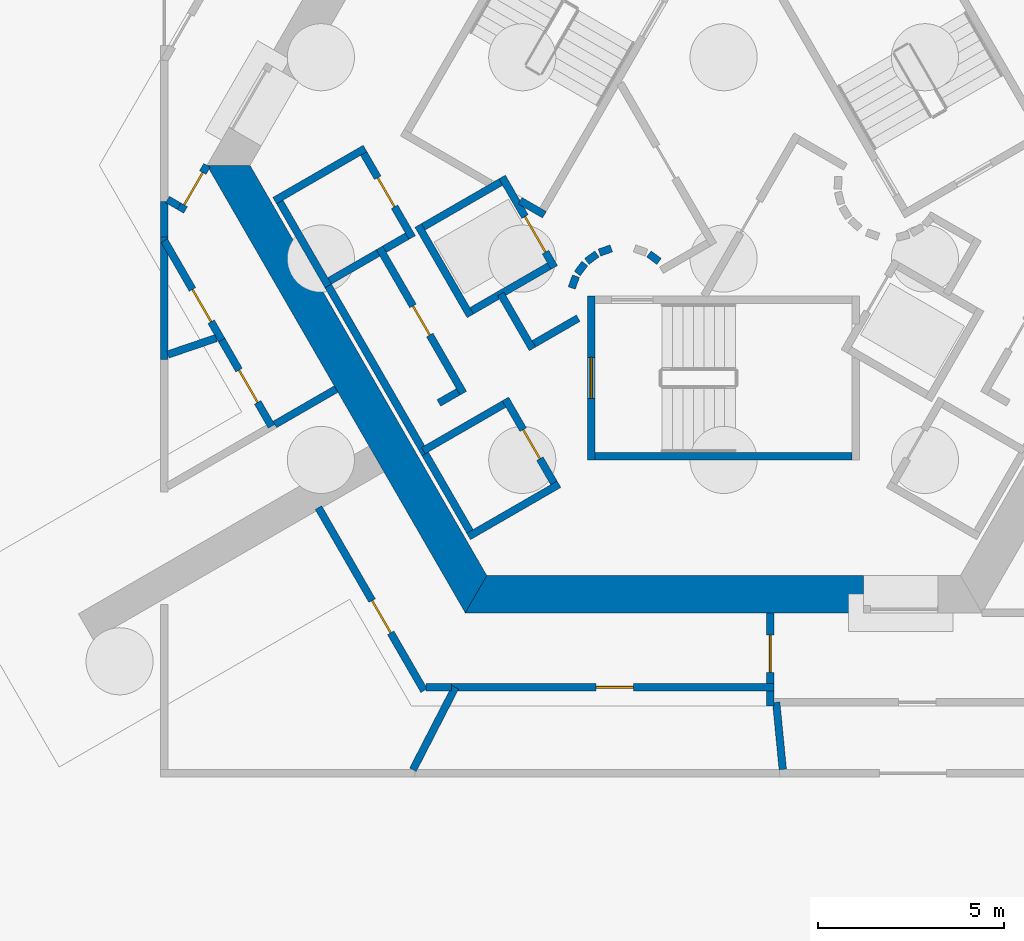
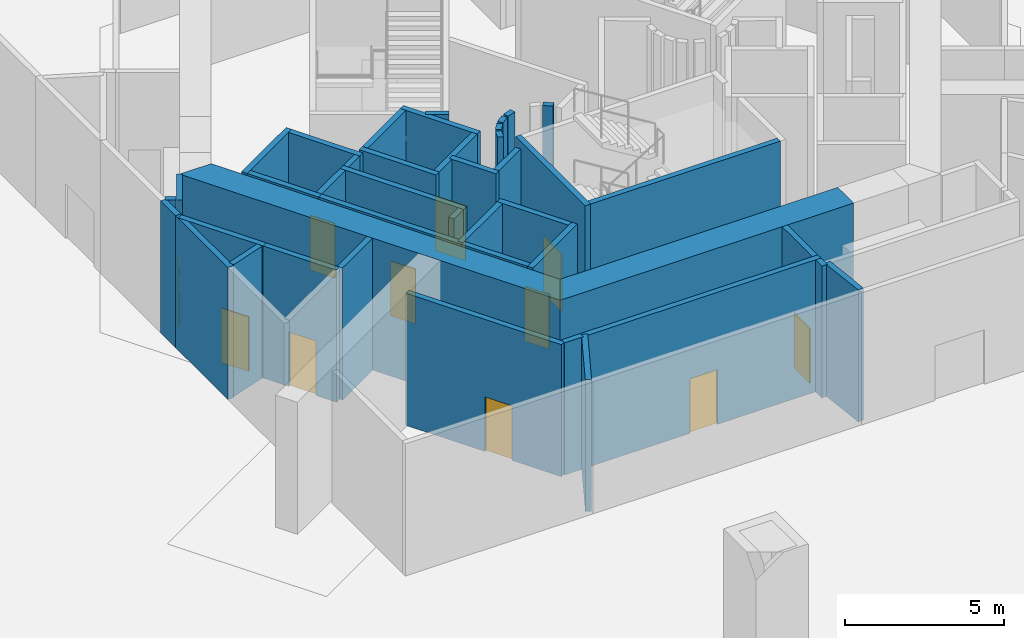
# One storey, part 5 of 14: 43 walls, 11 doors, 11 openings.
"""IFC4 building model written with IfcOpenShell, lengths in metres."""

from ifc_helpers import new_model, si_unit, direction, frame, frame_2d, origin, place, context, subcontext, project, spatial, polyline, rectangle, outline, extrude, material, layer, layer_set, type_object, element, fill, save


model = new_model("IFC4")

# Units and contexts
model_context = context("Model", 3, precision=1e-05, world=origin(), true_north=direction((0.0, 1.0)))
body_context = subcontext(model_context, "Body", "Model", "MODEL_VIEW")
ifc_project = project(units=[si_unit("LENGTHUNIT", "METRE"), si_unit("AREAUNIT", "SQUARE_METRE"), si_unit("VOLUMEUNIT", "CUBIC_METRE"), si_unit("PLANEANGLEUNIT", "RADIAN"), si_unit("MASSUNIT", "GRAM", prefix="KILO")], contexts=[model_context])

# Site, building, storey
site_placement = place(None, origin())
site = spatial("IfcSite", under=ifc_project, at=site_placement, CompositionType="ELEMENT")
building_placement = place(site_placement, origin())
building = spatial("IfcBuilding", under=site, at=building_placement, Name="Entoto Arch Interchange Tower", CompositionType="ELEMENT")
storey_placement = place(building_placement, frame((0.0, 0.0, -16.5)))
storey = spatial("IfcBuildingStorey", under=building, at=storey_placement, Name="B3", CompositionType="ELEMENT", Elevation=-16.5)

# Walls
ifc_material_1 = material(Name="Concrete C60/75", Category="concrete")
ifc_layer_1 = layer(ifc_material_1, 1.0)
ifc_layer_set_1 = layer_set([ifc_layer_1], Name="Concrete C60/75")
wall_type_1 = type_object("IfcWallType", Name="Core wall 1000 C60/75", PredefinedType="SHEAR", material=ifc_layer_set_1)
wall_1_placement = place(storey_placement, origin())
element("IfcWall", 1, at=wall_1_placement, inside=storey, type_object=wall_type_1, Name="Core wall SW B3", PredefinedType="SHEAR", context=body_context, shape_type="SweptSolid", body=[
    extrude(outline(polyline([(-13.85595703125, 2.5), (-6.927978515625, -9.5), (-6.35107421875, -8.5), (-12.701904296875, 2.5), (-13.85595703125, 2.5)])), origin(), (0.0, 0.0, 1.0), 5.080078125),
])
wall_2_placement = place(storey_placement, origin())
element("IfcWall", 2, at=wall_2_placement, inside=storey, type_object=wall_type_1, Name="Core wall S B3", PredefinedType="SHEAR", context=body_context, shape_type="SweptSolid", body=[
    extrude(outline(polyline([(3.75, -9.5), (3.75, -8.5), (-6.35107421875, -8.5), (-6.927978515625, -9.5), (3.75, -9.5)])), origin(), (0.0, 0.0, 1.0), 5.080078125),
])

# Wall, opening, door
ifc_material_2 = material(Name="Concrete C40/50", Category="concrete")
ifc_layer_2 = layer(ifc_material_2, 0.199951171875)
ifc_layer_set_2 = layer_set([ifc_layer_2], Name="Concrete C40/50")
wall_type_2 = type_object("IfcWallType", Name="LIFT SHAFT WALL 200", PredefinedType="STANDARD", material=ifc_layer_set_2)
wall_3_placement = place(storey_placement, frame((-5.93994140625, 2.18798828125, 0.0), z_axis=(0.0, 0.0, 1.0), x_axis=(0.49994636267, -0.866056369097, 0.0)))
wall_3 = element("IfcWall", 3, at=wall_3_placement, inside=storey, type_object=wall_type_2, Name="Shaft wall SW1 front", PredefinedType="STANDARD", context=body_context, shape_type="SweptSolid", body=[
    extrude(rectangle(XDim=2.800048828125, YDim=0.199951171875, at=frame_2d((1.39990234375, 0.0))), origin(), (0.0, 0.0, 1.0), 5.080078125),
])
opening_1_placement = place(wall_3_placement, frame((1.22509765625, 0.0, 0.0)))
opening_1 = element("IfcOpeningElement", 4, at=opening_1_placement, cuts=wall_3, Name="Opening LD-FF2-B3", PredefinedType="OPENING", context=body_context, shape_type="SweptSolid", body=[
    extrude(rectangle(XDim=1.10009765625, YDim=2.10009765625, at=frame_2d((0.550048828125, 1.050048828125))), frame((0.0, 0.10986328125, 0.0), z_axis=(0.0, -1.0, 0.0), x_axis=(1.0, 0.0, 0.0)), (0.0, 0.0, 1.0), 0.219970703125),
])
ifc_material_3 = material(Name="Stainless steel 1.4301 panels", Category="steel")
door_type_1 = type_object("IfcDoorType", Name="LIFT LANDING DOOR LD1 1100x2100", OperationType="SLIDING_TO_LEFT", PredefinedType="DOOR", material=ifc_material_3)
door_1_placement = place(opening_1_placement, origin())
door_1 = element("IfcDoor", 5, at=door_1_placement, inside=storey, type_object=door_type_1, Name="Lift landing door FF2 B3", OperationType="SLIDING_TO_LEFT", OverallHeight=2.10009765625, OverallWidth=1.10009765625, PredefinedType="DOOR", context=body_context, shape_type="SweptSolid", body=[
    extrude(rectangle(XDim=1.10009765625, YDim=2.10009765625, at=frame_2d((0.550048828125, 1.050048828125))), frame((0.0, 0.02490234375, 0.0), z_axis=(0.0, -1.0, 0.0), x_axis=(1.0, 0.0, 0.0)), (0.0, 0.0, 1.0), 0.050048828125),
])
fill(opening_1, door_1)

# Walls
wall_4_placement = place(storey_placement, frame((-8.19189453125, 0.887939453125, 0.0), z_axis=(0.0, 0.0, 1.0), x_axis=(0.49994636267, -0.866056369097, 0.0)))
element("IfcWall", 6, at=wall_4_placement, inside=storey, type_object=wall_type_2, Name="Shaft wall SW1 back", PredefinedType="STANDARD", context=body_context, shape_type="SweptSolid", body=[
    extrude(rectangle(XDim=2.800048828125, YDim=0.199951171875, at=frame_2d((1.39990234375, 0.0))), origin(), (0.0, 0.0, 1.0), 5.080078125),
])
for number, where, z_axis, x_axis, name in (
    (7, (-5.97705078125, 2.052001953125, 0.0), (0.0, 0.0, 1.0), (-0.865973769406, -0.500089422704, 0.0), "Shaft wall SW1 cross 1"),
    (8, (-4.677001953125, -0.199951171875, 0.0), (0.0, 0.0, 1.0), (-0.865973769406, -0.500089422704, 0.0), "Shaft wall SW1 cross 2"),
):
    element("IfcWall", number, at=place(storey_placement, frame(where, z_axis=z_axis, x_axis=x_axis)), inside=storey, type_object=wall_type_2, Name=name, PredefinedType="STANDARD", context=body_context, shape_type="SweptSolid", body=[
        extrude(rectangle(XDim=2.3994140625, YDim=0.199951171875, at=frame_2d((1.19970703125, 0.0))), origin(), (0.0, 0.0, 1.0), 5.080078125),
    ])

# Wall, opening, door
ifc_material_4 = material(Name="Gypsum board partition on steel studs", Category="steel")
ifc_layer_3 = layer(ifc_material_4, 0.199951171875)
ifc_layer_set_3 = layer_set([ifc_layer_3], Name="Gypsum board partition on steel studs")
wall_type_3 = type_object("IfcWallType", Name="PARTITION 200", PredefinedType="PARTITIONING", material=ifc_layer_set_3)
wall_5_placement = place(storey_placement, frame((1.25, -11.39990234375, 0.0), z_axis=(0.0, 0.0, 1.0), x_axis=(0.0, 1.0, 0.0)))
wall_5 = element("IfcWall", 9, at=wall_5_placement, inside=storey, type_object=wall_type_3, Name="wall:B3:p001", PredefinedType="PARTITIONING", context=body_context, shape_type="SweptSolid", body=[
    extrude(rectangle(XDim=1.89990234375, YDim=0.199951171875, at=frame_2d((0.949951171875, 0.0))), origin(), (0.0, 0.0, 1.0), 5.080078125),
])
opening_2_placement = place(wall_5_placement, frame((0.300048828125, 0.0, 0.0)))
opening_2 = element("IfcOpeningElement", 10, at=opening_2_placement, cuts=wall_5, Name="Opening B3-D01", PredefinedType="OPENING", context=body_context, shape_type="SweptSolid", body=[
    extrude(rectangle(XDim=1.0, YDim=2.10009765625, at=frame_2d((0.5, 1.050048828125))), frame((0.0, 0.10986328125, 0.0), z_axis=(0.0, -1.0, 0.0), x_axis=(1.0, 0.0, 0.0)), (0.0, 0.0, 1.0), 0.219970703125),
])
ifc_material_5 = material(Name="Fire-rated Steel S235 door and frame", Category="steel")
door_type_2 = type_object("IfcDoorType", Name="DOOR FD-10 1000x2100", OperationType="SINGLE_SWING_LEFT", PredefinedType="DOOR", material=ifc_material_5)
door_2_placement = place(opening_2_placement, origin())
door_2 = element("IfcDoor", 11, at=door_2_placement, inside=storey, type_object=door_type_2, Name="door:B3:01", OperationType="SINGLE_SWING_LEFT", OverallHeight=2.10009765625, OverallWidth=1.0, PredefinedType="DOOR", context=body_context, shape_type="SweptSolid", body=[
    extrude(rectangle(XDim=1.0, YDim=2.10009765625, at=frame_2d((0.5, 1.050048828125))), frame((0.0, 0.02490234375, 0.0), z_axis=(0.0, -1.0, 0.0), x_axis=(1.0, 0.0, 0.0)), (0.0, 0.0, 1.0), 0.050048828125),
])
fill(opening_2, door_2)

# Walls
wall_6_placement = place(storey_placement, frame((1.25, -12.0, 0.0), z_axis=(0.0, 0.0, 1.0), x_axis=(0.0, 1.0, 0.0)))
element("IfcWall", 12, at=wall_6_placement, inside=storey, type_object=wall_type_3, Name="wall:B3:p006", PredefinedType="PARTITIONING", context=body_context, shape_type="SweptSolid", body=[
    extrude(rectangle(XDim=0.39990234375, YDim=0.199951171875, at=frame_2d((0.199951171875, 0.0))), origin(), (0.0, 0.0, 1.0), 5.080078125),
])
wall_7_placement = place(storey_placement, frame((-7.2958984375, -11.5, 0.0), z_axis=(0.0, 0.0, 1.0), x_axis=(-1.0, 0.0, 0.0)))
element("IfcWall", 13, at=wall_7_placement, inside=storey, type_object=wall_type_3, Name="wall:B3:p007", PredefinedType="PARTITIONING", context=body_context, shape_type="SweptSolid", body=[
    extrude(rectangle(XDim=0.68701171875, YDim=0.199951171875, at=frame_2d((0.343505859375, 0.0))), origin(), (0.0, 0.0, 1.0), 5.080078125),
])

# Wall, opening, door
wall_8_placement = place(storey_placement, frame((-8.032958984375, -11.5869140625, 0.0), z_axis=(0.0, 0.0, 1.0), x_axis=(-0.499974742752, 0.866039985572, 0.0)))
wall_8 = element("IfcWall", 14, at=wall_8_placement, inside=storey, type_object=wall_type_3, Name="wall:B3:p008", PredefinedType="PARTITIONING", context=body_context, shape_type="SweptSolid", body=[
    extrude(rectangle(XDim=5.668212890625, YDim=0.199951171875, at=frame_2d((2.833984375, 0.0))), origin(), (0.0, 0.0, 1.0), 5.080078125),
])
opening_3_placement = place(wall_8_placement, frame((1.7880859375, 0.0, 0.0)))
opening_3 = element("IfcOpeningElement", 15, at=opening_3_placement, cuts=wall_8, Name="Opening B3-D04", PredefinedType="OPENING", context=body_context, shape_type="SweptSolid", body=[
    extrude(rectangle(XDim=1.0, YDim=2.10009765625, at=frame_2d((0.5, 1.050048828125))), frame((0.0, 0.10986328125, 0.0), z_axis=(0.0, -1.0, 0.0), x_axis=(1.0, 0.0, 0.0)), (0.0, 0.0, 1.0), 0.219970703125),
])
door_3_placement = place(opening_3_placement, origin())
door_3 = element("IfcDoor", 16, at=door_3_placement, inside=storey, type_object=door_type_2, Name="door:B3:04", OperationType="SINGLE_SWING_RIGHT", OverallHeight=2.10009765625, OverallWidth=1.0, PredefinedType="DOOR", context=body_context, shape_type="SweptSolid", body=[
    extrude(rectangle(XDim=1.0, YDim=2.10009765625, at=frame_2d((0.5, 1.050048828125))), frame((0.0, 0.02490234375, 0.0), z_axis=(0.0, -1.0, 0.0), x_axis=(1.0, 0.0, 0.0)), (0.0, 0.0, 1.0), 0.050048828125),
])
fill(opening_3, door_3)

wall_9_placement = place(storey_placement, frame((1.35009765625, -11.5, 0.0), z_axis=(0.0, 0.0, 1.0), x_axis=(-1.0, 0.0, 0.0)))
wall_9 = element("IfcWall", 17, at=wall_9_placement, inside=storey, type_object=wall_type_3, Name="wall:B3:p009", PredefinedType="PARTITIONING", context=body_context, shape_type="SweptSolid", body=[
    extrude(rectangle(XDim=8.64599609375, YDim=0.199951171875, at=frame_2d((4.322998046875, 0.0))), origin(), (0.0, 0.0, 1.0), 5.080078125),
])
opening_4_placement = place(wall_9_placement, frame((3.76806640625, 0.0, 0.0)))
opening_4 = element("IfcOpeningElement", 18, at=opening_4_placement, cuts=wall_9, Name="Opening B3-D05", PredefinedType="OPENING", context=body_context, shape_type="SweptSolid", body=[
    extrude(rectangle(XDim=1.0, YDim=2.10009765625, at=frame_2d((0.5, 1.050048828125))), frame((0.0, 0.10986328125, 0.0), z_axis=(0.0, -1.0, 0.0), x_axis=(1.0, 0.0, 0.0)), (0.0, 0.0, 1.0), 0.219970703125),
])
door_4_placement = place(opening_4_placement, origin())
door_4 = element("IfcDoor", 19, at=door_4_placement, inside=storey, type_object=door_type_2, Name="door:B3:05", OperationType="SINGLE_SWING_LEFT", OverallHeight=2.10009765625, OverallWidth=1.0, PredefinedType="DOOR", context=body_context, shape_type="SweptSolid", body=[
    extrude(rectangle(XDim=1.0, YDim=2.10009765625, at=frame_2d((0.5, 1.050048828125))), frame((0.0, 0.02490234375, 0.0), z_axis=(0.0, -1.0, 0.0), x_axis=(1.0, 0.0, 0.0)), (0.0, 0.0, 1.0), 0.050048828125),
])
fill(opening_4, door_4)

# Walls
wall_10_placement = place(storey_placement, frame((1.5869140625, -13.699951171875, 0.0), z_axis=(0.0, 0.0, 1.0), x_axis=(-0.097324991698, 0.99525265435, 0.0)))
element("IfcWall", 20, at=wall_10_placement, inside=storey, type_object=wall_type_3, Name="wall:B3:p014", PredefinedType="PARTITIONING", context=body_context, shape_type="SweptSolid", body=[
    extrude(rectangle(XDim=1.80859375, YDim=0.199951171875, at=frame_2d((0.904296875, 0.0))), origin(), (0.0, 0.0, 1.0), 5.080078125),
])
wall_11_placement = place(storey_placement, frame((-7.196044921875, -11.5, 0.0), z_axis=(0.0, 0.0, 1.0), x_axis=(-0.457008432814, -0.889462361394, 0.0)))
element("IfcWall", 21, at=wall_11_placement, inside=storey, type_object=wall_type_3, Name="wall:B3:p017", PredefinedType="PARTITIONING", context=body_context, shape_type="SweptSolid", body=[
    extrude(rectangle(XDim=2.485595703125, YDim=0.199951171875, at=frame_2d((1.24267578125, 0.0))), origin(), (0.0, 0.0, 1.0), 5.080078125),
])

# Wall, opening, door
wall_12_placement = place(storey_placement, frame((-13.85595703125, 2.5, 0.0), z_axis=(0.0, 0.0, 1.0), x_axis=(-0.499831418649, -0.866122712398, 0.0)))
wall_12 = element("IfcWall", 22, at=wall_12_placement, inside=storey, type_object=wall_type_3, Name="wall:B3:p050", PredefinedType="PARTITIONING", context=body_context, shape_type="SweptSolid", body=[
    extrude(rectangle(XDim=1.42236328125, YDim=0.199951171875, at=frame_2d((0.711181640625, 0.0))), origin(), (0.0, 0.0, 1.0), 5.080078125),
])
opening_5_placement = place(wall_12_placement, frame((0.22412109375, 0.0, 0.0)))
opening_5 = element("IfcOpeningElement", 23, at=opening_5_placement, cuts=wall_12, Name="Opening B3-D14", PredefinedType="OPENING", context=body_context, shape_type="SweptSolid", body=[
    extrude(rectangle(XDim=1.0, YDim=2.10009765625, at=frame_2d((0.5, 1.050048828125))), frame((0.0, 0.10986328125, 0.0), z_axis=(0.0, -1.0, 0.0), x_axis=(1.0, 0.0, 0.0)), (0.0, 0.0, 1.0), 0.219970703125),
])
door_5_placement = place(opening_5_placement, origin())
door_5 = element("IfcDoor", 24, at=door_5_placement, inside=storey, type_object=door_type_2, Name="door:B3:14", OperationType="SINGLE_SWING_RIGHT", OverallHeight=2.10009765625, OverallWidth=1.0, PredefinedType="DOOR", context=body_context, shape_type="SweptSolid", body=[
    extrude(rectangle(XDim=1.0, YDim=2.10009765625, at=frame_2d((0.5, 1.050048828125))), frame((0.0, 0.02490234375, 0.0), z_axis=(0.0, -1.0, 0.0), x_axis=(1.0, 0.0, 0.0)), (0.0, 0.0, 1.0), 0.050048828125),
])
fill(opening_5, door_5)

# Wall
wall_13_placement = place(storey_placement, frame((-14.60400390625, 1.405029296875, 0.0), z_axis=(0.0, 0.0, 1.0), x_axis=(-0.865410684717, 0.501063216349, 0.0)))
element("IfcWall", 25, at=wall_13_placement, inside=storey, type_object=wall_type_3, Name="wall:B3:p051", PredefinedType="PARTITIONING", context=body_context, shape_type="SweptSolid", body=[
    extrude(rectangle(XDim=0.357177734375, YDim=0.199951171875, at=frame_2d((0.1787109375, 0.0))), origin(), (0.0, 0.0, 1.0), 5.080078125),
])

# Wall, opening, door
wall_14_placement = place(storey_placement, frame((-13.4599609375, -2.18603515625, 0.0), z_axis=(0.0, 0.0, 1.0), x_axis=(-0.500060979923, 0.865990194147, 0.0)))
wall_14 = element("IfcWall", 26, at=wall_14_placement, inside=storey, type_object=wall_type_3, Name="wall:B3:p057", PredefinedType="PARTITIONING", context=body_context, shape_type="SweptSolid", body=[
    extrude(rectangle(XDim=3.07958984375, YDim=0.199951171875, at=frame_2d((1.539794921875, 0.0))), origin(), (0.0, 0.0, 1.0), 5.080078125),
])
opening_6_placement = place(wall_14_placement, frame((0.569091796875, 0.0, 0.0)))
opening_6 = element("IfcOpeningElement", 27, at=opening_6_placement, cuts=wall_14, Name="Opening B3-D17", PredefinedType="OPENING", context=body_context, shape_type="SweptSolid", body=[
    extrude(rectangle(XDim=1.0, YDim=2.10009765625, at=frame_2d((0.5, 1.050048828125))), frame((0.0, 0.10986328125, 0.0), z_axis=(0.0, -1.0, 0.0), x_axis=(1.0, 0.0, 0.0)), (0.0, 0.0, 1.0), 0.219970703125),
])
door_6_placement = place(opening_6_placement, origin())
door_6 = element("IfcDoor", 28, at=door_6_placement, inside=storey, type_object=door_type_2, Name="door:B3:17", OperationType="SINGLE_SWING_LEFT", OverallHeight=2.10009765625, OverallWidth=1.0, PredefinedType="DOOR", context=body_context, shape_type="SweptSolid", body=[
    extrude(rectangle(XDim=1.0, YDim=2.10009765625, at=frame_2d((0.5, 1.050048828125))), frame((0.0, 0.02490234375, 0.0), z_axis=(0.0, -1.0, 0.0), x_axis=(1.0, 0.0, 0.0)), (0.0, 0.0, 1.0), 0.050048828125),
])
fill(opening_6, door_6)

wall_15_placement = place(storey_placement, frame((-12.1240234375, -4.5, 0.0), z_axis=(0.0, 0.0, 1.0), x_axis=(-0.499991375441, 0.866030383119, 0.0)))
wall_15 = element("IfcWall", 29, at=wall_15_placement, inside=storey, type_object=wall_type_3, Name="wall:B3:p058", PredefinedType="PARTITIONING", context=body_context, shape_type="SweptSolid", body=[
    extrude(rectangle(XDim=2.671875, YDim=0.199951171875, at=frame_2d((1.3359375, 0.0))), origin(), (0.0, 0.0, 1.0), 5.080078125),
])
opening_7_placement = place(wall_15_placement, frame((0.742919921875, 0.0, 0.0)))
opening_7 = element("IfcOpeningElement", 30, at=opening_7_placement, cuts=wall_15, Name="Opening B3-D18", PredefinedType="OPENING", context=body_context, shape_type="SweptSolid", body=[
    extrude(rectangle(XDim=1.0, YDim=2.10009765625, at=frame_2d((0.5, 1.050048828125))), frame((0.0, 0.10986328125, 0.0), z_axis=(0.0, -1.0, 0.0), x_axis=(1.0, 0.0, 0.0)), (0.0, 0.0, 1.0), 0.219970703125),
])
door_7_placement = place(opening_7_placement, origin())
door_7 = element("IfcDoor", 31, at=door_7_placement, inside=storey, type_object=door_type_2, Name="door:B3:18", OperationType="SINGLE_SWING_RIGHT", OverallHeight=2.10009765625, OverallWidth=1.0, PredefinedType="DOOR", context=body_context, shape_type="SweptSolid", body=[
    extrude(rectangle(XDim=1.0, YDim=2.10009765625, at=frame_2d((0.5, 1.050048828125))), frame((0.0, 0.02490234375, 0.0), z_axis=(0.0, -1.0, 0.0), x_axis=(1.0, 0.0, 0.0)), (0.0, 0.0, 1.0), 0.050048828125),
])
fill(opening_7, door_7)

# Walls
wall_16_placement = place(storey_placement, frame((-10.39208984375, -3.5, 0.0), z_axis=(0.0, 0.0, 1.0), x_axis=(-0.865980106173, -0.500078449558, 0.0)))
element("IfcWall", 32, at=wall_16_placement, inside=storey, type_object=wall_type_3, Name="wall:B3:p059", PredefinedType="PARTITIONING", context=body_context, shape_type="SweptSolid", body=[
    extrude(rectangle(XDim=1.899658203125, YDim=0.199951171875, at=frame_2d((0.94970703125, 0.0))), origin(), (0.0, 0.0, 1.0), 5.080078125),
])
wall_17_placement = place(storey_placement, frame((-15.0, 0.5810546875, 0.0), z_axis=(0.0, 0.0, 1.0), x_axis=(0.0, 1.0, 0.0)))
element("IfcWall", 33, at=wall_17_placement, inside=storey, type_object=wall_type_3, Name="wall:B3:p060", PredefinedType="PARTITIONING", context=body_context, shape_type="SweptSolid", body=[
    extrude(rectangle(XDim=0.952880859375, YDim=0.199951171875, at=frame_2d((0.4765625, 0.0))), origin(), (0.0, 0.0, 1.0), 5.080078125),
])
wall_18_placement = place(storey_placement, frame((-13.60498046875, -2.131103515625, 0.0), z_axis=(0.0, 0.0, 1.0), x_axis=(-0.946582963452, -0.32246037478, 0.0)))
element("IfcWall", 34, at=wall_18_placement, inside=storey, type_object=wall_type_3, Name="wall:B3:p065", PredefinedType="PARTITIONING", context=body_context, shape_type="SweptSolid", body=[
    extrude(rectangle(XDim=1.373291015625, YDim=0.199951171875, at=frame_2d((0.6865234375, 0.0))), origin(), (0.0, 0.0, 1.0), 5.080078125),
])
wall_19_placement = place(storey_placement, frame((-15.0, -2.7060546875, 0.0), z_axis=(0.0, 0.0, 1.0), x_axis=(0.0, 1.0, 0.0)))
element("IfcWall", 35, at=wall_19_placement, inside=storey, type_object=wall_type_3, Name="wall:B3:p066", PredefinedType="PARTITIONING", context=body_context, shape_type="SweptSolid", body=[
    extrude(rectangle(XDim=3.287109375, YDim=0.199951171875, at=frame_2d((1.6435546875, 0.0))), origin(), (0.0, 0.0, 1.0), 5.080078125),
])
wall_20_placement = place(storey_placement, frame((-9.26708984375, 0.152099609375, 0.0), z_axis=(0.0, 0.0, 1.0), x_axis=(-0.86599040064, -0.500060622324, 0.0)))
element("IfcWall", 36, at=wall_20_placement, inside=storey, type_object=wall_type_3, Name="wall:B3:p089", PredefinedType="PARTITIONING", context=body_context, shape_type="SweptSolid", body=[
    extrude(rectangle(XDim=1.499755859375, YDim=0.199951171875, at=frame_2d((0.75, 0.0))), origin(), (0.0, 0.0, 1.0), 5.080078125),
])
wall_21_placement = place(storey_placement, frame((-12.0400390625, 1.552978515625, 0.0), z_axis=(0.0, 0.0, 1.0), x_axis=(0.866056369097, 0.49994636267, 0.0)))
element("IfcWall", 37, at=wall_21_placement, inside=storey, type_object=wall_type_3, Name="wall:B3:p090", PredefinedType="PARTITIONING", context=body_context, shape_type="SweptSolid", body=[
    extrude(rectangle(XDim=2.800048828125, YDim=0.199951171875, at=frame_2d((1.39990234375, 0.0))), origin(), (0.0, 0.0, 1.0), 5.080078125),
])

# Wall, opening, door
wall_22_placement = place(storey_placement, frame((-9.65087890625, 2.81689453125, 0.0), z_axis=(0.0, 0.0, 1.0), x_axis=(0.49989585183, -0.866085525409, 0.0)))
wall_22 = element("IfcWall", 38, at=wall_22_placement, inside=storey, type_object=wall_type_3, Name="wall:B3:p091", PredefinedType="PARTITIONING", context=body_context, shape_type="SweptSolid", body=[
    extrude(rectangle(XDim=2.60009765625, YDim=0.199951171875, at=frame_2d((1.300048828125, 0.0))), origin(), (0.0, 0.0, 1.0), 5.080078125),
])
opening_8_placement = place(wall_22_placement, frame((0.75, 0.0, 0.0)))
opening_8 = element("IfcOpeningElement", 39, at=opening_8_placement, cuts=wall_22, Name="Opening B3-D30", PredefinedType="OPENING", context=body_context, shape_type="SweptSolid", body=[
    extrude(rectangle(XDim=0.89990234375, YDim=2.10009765625, at=frame_2d((0.449951171875, 1.050048828125))), frame((0.0, 0.10986328125, 0.0), z_axis=(0.0, -1.0, 0.0), x_axis=(1.0, 0.0, 0.0)), (0.0, 0.0, 1.0), 0.219970703125),
])
ifc_material_6 = material(Name="Timber door leaf in Steel S235 frame", Category="steel")
door_type_3 = type_object("IfcDoorType", Name="DOOR DS-09 900x2100", OperationType="SINGLE_SWING_LEFT", PredefinedType="DOOR", material=ifc_material_6)
door_8_placement = place(opening_8_placement, origin())
door_8 = element("IfcDoor", 40, at=door_8_placement, inside=storey, type_object=door_type_3, Name="door:B3:30", OperationType="SINGLE_SWING_RIGHT", OverallHeight=2.10009765625, OverallWidth=0.89990234375, PredefinedType="DOOR", context=body_context, shape_type="SweptSolid", body=[
    extrude(rectangle(XDim=0.89990234375, YDim=2.10009765625, at=frame_2d((0.449951171875, 1.050048828125))), frame((0.0, 0.02490234375, 0.0), z_axis=(0.0, -1.0, 0.0), x_axis=(1.0, 0.0, 0.0)), (0.0, 0.0, 1.0), 0.050048828125),
])
fill(opening_8, door_8)

# Walls
wall_23_placement = place(storey_placement, frame((-8.488037109375, 0.60205078125, 0.0), z_axis=(0.0, 0.0, 1.0), x_axis=(-0.865871789474, -0.500265973451, 0.0)))
element("IfcWall", 41, at=wall_23_placement, inside=storey, type_object=wall_type_3, Name="wall:B3:p092", PredefinedType="PARTITIONING", context=body_context, shape_type="SweptSolid", body=[
    extrude(rectangle(XDim=0.69970703125, YDim=0.199951171875, at=frame_2d((0.349853515625, 0.0))), origin(), (0.0, 0.0, 1.0), 5.080078125),
])
wall_24_placement = place(storey_placement, frame((-10.60302734375, -0.735107421875, 0.0), z_axis=(0.0, 0.0, 1.0), x_axis=(-0.499925626596, 0.866068339032, 0.0)))
element("IfcWall", 42, at=wall_24_placement, inside=storey, type_object=wall_type_3, Name="wall:B3:p093", PredefinedType="PARTITIONING", context=body_context, shape_type="SweptSolid", body=[
    extrude(rectangle(XDim=2.6005859375, YDim=0.199951171875, at=frame_2d((1.30029296875, 0.0))), origin(), (0.0, 0.0, 1.0), 5.080078125),
])

# Wall, opening, door
wall_25_placement = place(storey_placement, frame((-9.23095703125, 0.2880859375, 0.0), z_axis=(0.0, 0.0, 1.0), x_axis=(0.500013631625, -0.866017533419, 0.0)))
wall_25 = element("IfcWall", 43, at=wall_25_placement, inside=storey, type_object=wall_type_3, Name="wall:B3:p094", PredefinedType="PARTITIONING", context=body_context, shape_type="SweptSolid", body=[
    extrude(rectangle(XDim=4.499755859375, YDim=0.199951171875, at=frame_2d((2.25, 0.0))), origin(), (0.0, 0.0, 1.0), 5.080078125),
])
opening_9_placement = place(wall_25_placement, frame((1.800048828125, 0.0, 0.0)))
opening_9 = element("IfcOpeningElement", 44, at=opening_9_placement, cuts=wall_25, Name="Opening B3-D31", PredefinedType="OPENING", context=body_context, shape_type="SweptSolid", body=[
    extrude(rectangle(XDim=0.89990234375, YDim=2.10009765625, at=frame_2d((0.449951171875, 1.050048828125))), frame((0.0, 0.10986328125, 0.0), z_axis=(0.0, -1.0, 0.0), x_axis=(1.0, 0.0, 0.0)), (0.0, 0.0, 1.0), 0.219970703125),
])
door_9_placement = place(opening_9_placement, origin())
door_9 = element("IfcDoor", 45, at=door_9_placement, inside=storey, type_object=door_type_3, Name="door:B3:31", OperationType="SINGLE_SWING_LEFT", OverallHeight=2.10009765625, OverallWidth=0.89990234375, PredefinedType="DOOR", context=body_context, shape_type="SweptSolid", body=[
    extrude(rectangle(XDim=0.89990234375, YDim=2.10009765625, at=frame_2d((0.449951171875, 1.050048828125))), frame((0.0, 0.02490234375, 0.0), z_axis=(0.0, -1.0, 0.0), x_axis=(1.0, 0.0, 0.0)), (0.0, 0.0, 1.0), 0.050048828125),
])
fill(opening_9, door_9)

# Walls
wall_26_placement = place(storey_placement, frame((-7.116943359375, -3.572021484375, 0.0), z_axis=(0.0, 0.0, 1.0), x_axis=(-0.866158505053, -0.499769390944, 0.0)))
element("IfcWall", 46, at=wall_26_placement, inside=storey, type_object=wall_type_3, Name="wall:B3:p095", PredefinedType="PARTITIONING", context=body_context, shape_type="SweptSolid", body=[
    extrude(rectangle(XDim=0.600341796875, YDim=0.199951171875, at=frame_2d((0.30029296875, 0.0))), origin(), (0.0, 0.0, 1.0), 5.080078125),
])
wall_27_placement = place(storey_placement, frame((-8.0029296875, -5.238037109375, 0.0), z_axis=(0.0, 0.0, 1.0), x_axis=(-0.500047596559, 0.865997922154, 0.0)))
element("IfcWall", 47, at=wall_27_placement, inside=storey, type_object=wall_type_3, Name="wall:B3:p096", PredefinedType="PARTITIONING", context=body_context, shape_type="SweptSolid", body=[
    extrude(rectangle(XDim=5.19970703125, YDim=0.199951171875, at=frame_2d((2.599853515625, 0.0))), origin(), (0.0, 0.0, 1.0), 5.080078125),
])
wall_28_placement = place(storey_placement, frame((-6.802978515625, -7.31689453125, 0.0), z_axis=(0.0, 0.0, 1.0), x_axis=(-0.499913221443, 0.866075499611, 0.0)))
element("IfcWall", 48, at=wall_28_placement, inside=storey, type_object=wall_type_3, Name="wall:B3:p097", PredefinedType="PARTITIONING", context=body_context, shape_type="SweptSolid", body=[
    extrude(rectangle(XDim=2.400390625, YDim=0.199951171875, at=frame_2d((1.2001953125, 0.0))), origin(), (0.0, 0.0, 1.0), 5.080078125),
])
wall_29_placement = place(storey_placement, frame((-8.052978515625, -5.15087890625, 0.0), z_axis=(0.0, 0.0, 1.0), x_axis=(0.866234368172, 0.499637888272, 0.0)))
element("IfcWall", 49, at=wall_29_placement, inside=storey, type_object=wall_type_3, Name="wall:B3:p098", PredefinedType="PARTITIONING", context=body_context, shape_type="SweptSolid", body=[
    extrude(rectangle(XDim=2.499267578125, YDim=0.199951171875, at=frame_2d((1.24951171875, 0.0))), origin(), (0.0, 0.0, 1.0), 5.080078125),
])

# Wall, opening, door
wall_30_placement = place(storey_placement, frame((-5.85107421875, -3.764892578125, 0.0), z_axis=(0.0, 0.0, 1.0), x_axis=(0.499925626596, -0.866068339032, 0.0)))
wall_30 = element("IfcWall", 50, at=wall_30_placement, inside=storey, type_object=wall_type_3, Name="wall:B3:p099", PredefinedType="PARTITIONING", context=body_context, shape_type="SweptSolid", body=[
    extrude(rectangle(XDim=2.6005859375, YDim=0.199951171875, at=frame_2d((1.30029296875, 0.0))), origin(), (0.0, 0.0, 1.0), 5.080078125),
])
opening_10_placement = place(wall_30_placement, frame((0.949951171875, 0.0, 0.0)))
opening_10 = element("IfcOpeningElement", 51, at=opening_10_placement, cuts=wall_30, Name="Opening B3-D32", PredefinedType="OPENING", context=body_context, shape_type="SweptSolid", body=[
    extrude(rectangle(XDim=0.89990234375, YDim=2.10009765625, at=frame_2d((0.449951171875, 1.050048828125))), frame((0.0, 0.10986328125, 0.0), z_axis=(0.0, -1.0, 0.0), x_axis=(1.0, 0.0, 0.0)), (0.0, 0.0, 1.0), 0.219970703125),
])
door_10_placement = place(opening_10_placement, origin())
door_10 = element("IfcDoor", 52, at=door_10_placement, inside=storey, type_object=door_type_3, Name="door:B3:32", OperationType="SINGLE_SWING_LEFT", OverallHeight=2.10009765625, OverallWidth=0.89990234375, PredefinedType="DOOR", context=body_context, shape_type="SweptSolid", body=[
    extrude(rectangle(XDim=0.89990234375, YDim=2.10009765625, at=frame_2d((0.449951171875, 1.050048828125))), frame((0.0, 0.02490234375, 0.0), z_axis=(0.0, -1.0, 0.0), x_axis=(1.0, 0.0, 0.0)), (0.0, 0.0, 1.0), 0.050048828125),
])
fill(opening_10, door_10)

# Walls
wall_31_placement = place(storey_placement, frame((-4.4150390625, -6.052978515625, 0.0), z_axis=(0.0, 0.0, 1.0), x_axis=(-0.866056369097, -0.49994636267, 0.0)))
element("IfcWall", 53, at=wall_31_placement, inside=storey, type_object=wall_type_3, Name="wall:B3:p100", PredefinedType="PARTITIONING", context=body_context, shape_type="SweptSolid", body=[
    extrude(rectangle(XDim=2.800048828125, YDim=0.199951171875, at=frame_2d((1.39990234375, 0.0))), origin(), (0.0, 0.0, 1.0), 5.080078125),
])
wall_32_placement = place(storey_placement, frame((-1.73095703125, -0.076904296875, 0.0), z_axis=(0.0, 0.0, 1.0), x_axis=(-0.804311165252, 0.594208338422, 0.0)))
element("IfcWall", 54, at=wall_32_placement, inside=storey, type_object=wall_type_3, Name="wall:B3:p114", PredefinedType="PARTITIONING", context=body_context, shape_type="SweptSolid", body=[
    extrude(rectangle(XDim=0.338134765625, YDim=0.199951171875, at=frame_2d((0.1689453125, 0.0))), origin(), (0.0, 0.0, 1.0), 5.080078125),
])
wall_33_placement = place(storey_placement, frame((-3.011962890625, 0.27294921875, 0.0), z_axis=(0.0, 0.0, 1.0), x_axis=(-0.942280615813, -0.334824194261, 0.0)))
element("IfcWall", 55, at=wall_33_placement, inside=storey, type_object=wall_type_3, Name="wall:B3:p116", PredefinedType="PARTITIONING", context=body_context, shape_type="SweptSolid", body=[
    extrude(rectangle(XDim=0.337646484375, YDim=0.199951171875, at=frame_2d((0.1689453125, 0.0))), origin(), (0.0, 0.0, 1.0), 5.080078125),
])
wall_34_placement = place(storey_placement, frame((-3.39697265625, 0.1240234375, 0.0), z_axis=(0.0, 0.0, 1.0), x_axis=(-0.804311165252, -0.594208338422, 0.0)))
element("IfcWall", 56, at=wall_34_placement, inside=storey, type_object=wall_type_3, Name="wall:B3:p117", PredefinedType="PARTITIONING", context=body_context, shape_type="SweptSolid", body=[
    extrude(rectangle(XDim=0.338134765625, YDim=0.199951171875, at=frame_2d((0.1689453125, 0.0))), origin(), (0.0, 0.0, 1.0), 5.080078125),
])
wall_35_placement = place(storey_placement, frame((-3.722900390625, -0.131103515625, 0.0), z_axis=(0.0, 0.0, 1.0), x_axis=(-0.594675113454, -0.803966112121, 0.0)))
element("IfcWall", 57, at=wall_35_placement, inside=storey, type_object=wall_type_3, Name="wall:B3:p118", PredefinedType="PARTITIONING", context=body_context, shape_type="SweptSolid", body=[
    extrude(rectangle(XDim=0.33837890625, YDim=0.199951171875, at=frame_2d((0.169189453125, 0.0))), origin(), (0.0, 0.0, 1.0), 5.080078125),
])
wall_36_placement = place(storey_placement, frame((-3.9599609375, -0.469970703125, 0.0), z_axis=(0.0, 0.0, 1.0), x_axis=(-0.334824194261, -0.942280615813, 0.0)))
element("IfcWall", 58, at=wall_36_placement, inside=storey, type_object=wall_type_3, Name="wall:B3:p119", PredefinedType="PARTITIONING", context=body_context, shape_type="SweptSolid", body=[
    extrude(rectangle(XDim=0.337646484375, YDim=0.199951171875, at=frame_2d((0.1689453125, 0.0))), origin(), (0.0, 0.0, 1.0), 5.080078125),
])
wall_37_placement = place(storey_placement, frame((-3.89990234375, -1.59912109375, 0.0), z_axis=(0.0, 0.0, 1.0), x_axis=(-0.865969445389, -0.500096910261, 0.0)))
element("IfcWall", 59, at=wall_37_placement, inside=storey, type_object=wall_type_3, Name="wall:B3:p120", PredefinedType="PARTITIONING", context=body_context, shape_type="SweptSolid", body=[
    extrude(rectangle(XDim=1.373291015625, YDim=0.199951171875, at=frame_2d((0.6865234375, 0.0))), origin(), (0.0, 0.0, 1.0), 5.080078125),
])
wall_38_placement = place(storey_placement, frame((-5.1259765625, -2.422119140625, 0.0), z_axis=(0.0, 0.0, 1.0), x_axis=(-0.500062241894, 0.865989465428, 0.0)))
element("IfcWall", 60, at=wall_38_placement, inside=storey, type_object=wall_type_3, Name="wall:B3:p121", PredefinedType="PARTITIONING", context=body_context, shape_type="SweptSolid", body=[
    extrude(rectangle(XDim=1.699951171875, YDim=0.199951171875, at=frame_2d((0.85009765625, 0.0))), origin(), (0.0, 0.0, 1.0), 5.080078125),
])

# Wall, opening, door
ifc_layer_4 = layer(ifc_material_2, 0.199951171875)
ifc_layer_set_4 = layer_set([ifc_layer_4], Name="Concrete C40/50")
wall_type_4 = type_object("IfcWallType", Name="STAIR ENCLOSURE WALL 200", PredefinedType="STANDARD", material=ifc_layer_set_4)
wall_39_placement = place(storey_placement, frame((-3.550048828125, -1.0, 0.0), z_axis=(0.0, 0.0, 1.0), x_axis=(0.0, -1.0, 0.0)))
wall_39 = element("IfcWall", 61, at=wall_39_placement, inside=storey, type_object=wall_type_4, Name="Stair wall ST-S near", PredefinedType="STANDARD", context=body_context, shape_type="SweptSolid", body=[
    extrude(rectangle(XDim=4.39990234375, YDim=0.199951171875, at=frame_2d((2.199951171875, 0.0))), origin(), (0.0, 0.0, 1.0), 5.080078125),
])
opening_11_placement = place(wall_39_placement, frame((1.64990234375, 0.0, 0.0)))
opening_11 = element("IfcOpeningElement", 62, at=opening_11_placement, cuts=wall_39, Name="Opening SD-ST-S-B3-E", PredefinedType="OPENING", context=body_context, shape_type="SweptSolid", body=[
    extrude(rectangle(XDim=1.10009765625, YDim=2.199951171875, at=frame_2d((0.550048828125, 1.10009765625))), frame((0.0, 0.10986328125, 0.0), z_axis=(0.0, -1.0, 0.0), x_axis=(1.0, 0.0, 0.0)), (0.0, 0.0, 1.0), 0.219970703125),
])
ifc_material_7 = material(Name="Steel S235", Category="steel")
door_type_4 = type_object("IfcDoorType", Name="STAIR DOOR SD1 1100x2200", OperationType="SINGLE_SWING_LEFT", PredefinedType="DOOR", material=ifc_material_7)
door_11_placement = place(opening_11_placement, origin())
door_11 = element("IfcDoor", 63, at=door_11_placement, inside=storey, type_object=door_type_4, Name="Stair door ST-S B3 end", OperationType="SINGLE_SWING_LEFT", OverallHeight=2.199951171875, OverallWidth=1.10009765625, PredefinedType="DOOR", context=body_context, shape_type="SweptSolid", body=[
    extrude(rectangle(XDim=1.10009765625, YDim=2.199951171875, at=frame_2d((0.550048828125, 1.10009765625))), frame((0.0, 0.02490234375, 0.0), z_axis=(0.0, -1.0, 0.0), x_axis=(1.0, 0.0, 0.0)), (0.0, 0.0, 1.0), 0.050048828125),
])
fill(opening_11, door_11)

# Walls
wall_40_placement = place(storey_placement, frame((-3.449951171875, -5.300048828125, 0.0), z_axis=(0.0, 0.0, 1.0), x_axis=(1.0, 0.0, 0.0)))
element("IfcWall", 64, at=wall_40_placement, inside=storey, type_object=wall_type_4, Name="Stair wall ST-S back", PredefinedType="STANDARD", context=body_context, shape_type="SweptSolid", body=[
    extrude(rectangle(XDim=6.89990234375, YDim=0.199951171875, at=frame_2d((3.449951171875, 0.0))), origin(), (0.0, 0.0, 1.0), 5.080078125),
])
wall_41_placement = place(storey_placement, frame((-4.805908203125, 1.176025390625, 0.0), z_axis=(0.0, 0.0, 1.0), x_axis=(-0.866558586415, 0.499075361355, 0.0)))
element("IfcWall", 65, at=wall_41_placement, inside=storey, type_object=wall_type_4, Name="Stair wall ST-NW far return", PredefinedType="STANDARD", context=body_context, shape_type="SweptSolid", body=[
    extrude(rectangle(XDim=0.75146484375, YDim=0.199951171875, at=frame_2d((0.375732421875, 0.0))), origin(), (0.0, 0.0, 1.0), 5.080078125),
])

save(model, "model.ifc")
